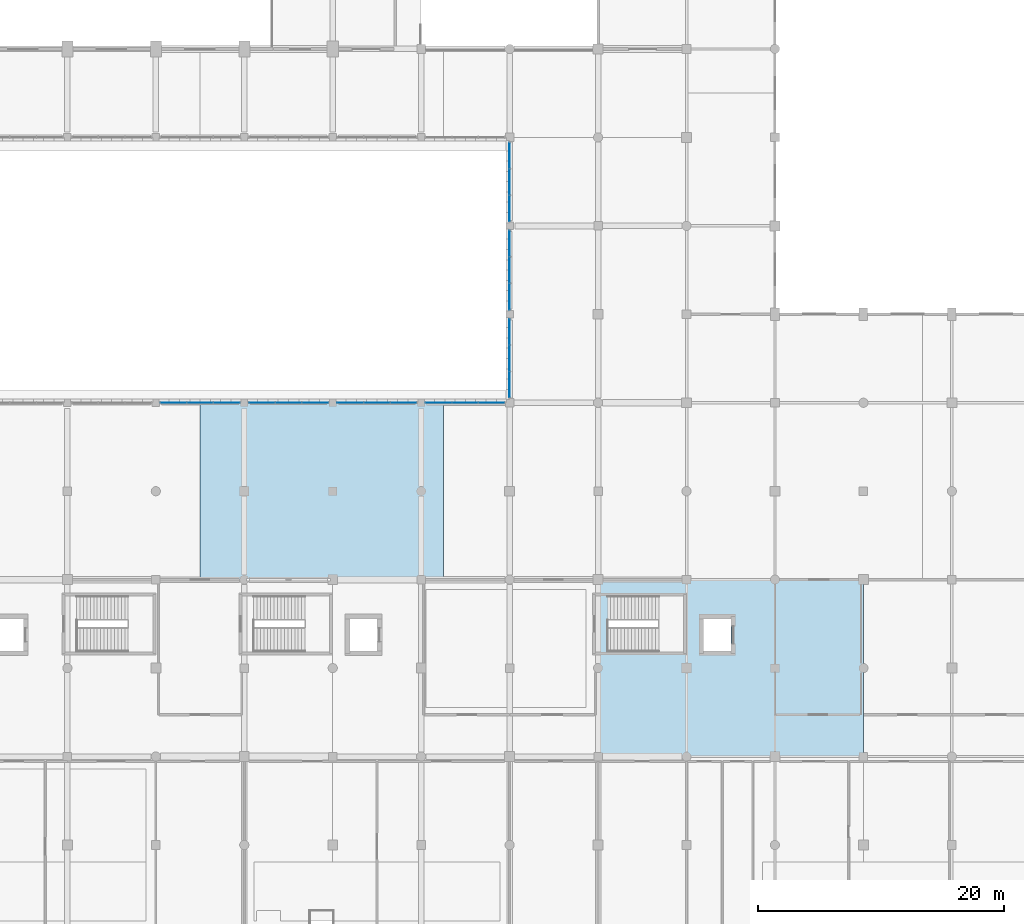
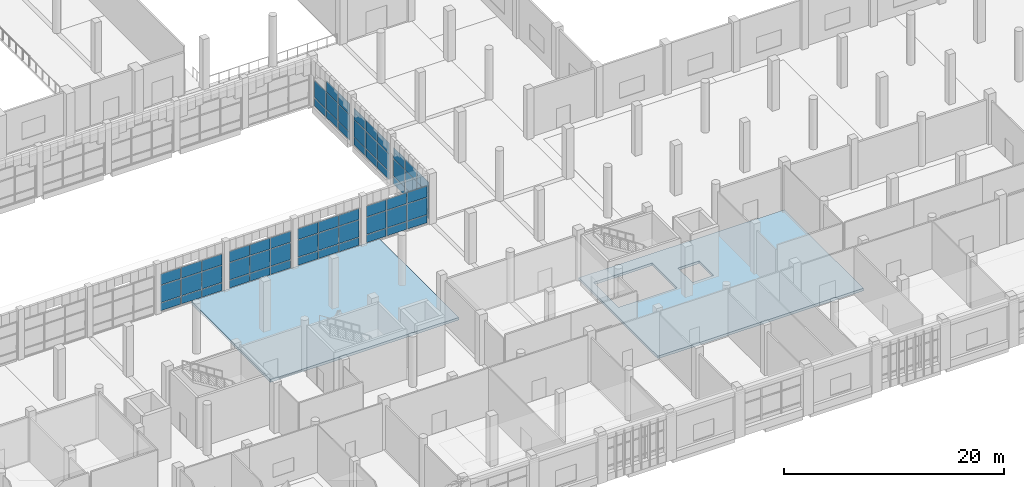
# One storey, part 38 of 80: 62 plates, 2 slabs, 7 elements without a shape of their own.
"""IFC4 building model written with IfcOpenShell, lengths in metres."""

from ifc_helpers import new_model, si_unit, direction, frame, origin, origin_2d, place, context, subcontext, project, spatial, polyline, rectangle, outline, extrude, material, layer, layer_set, type_object, element, aggregate, save


model = new_model("IFC4")

# Units and contexts
model_context = context("Model", 3, precision=1e-05, world=origin(), true_north=direction((0.0, 1.0)))
body_context = subcontext(model_context, "Body", "Model", "MODEL_VIEW")
ifc_project = project(units=[si_unit("LENGTHUNIT", "METRE"), si_unit("AREAUNIT", "SQUARE_METRE"), si_unit("VOLUMEUNIT", "CUBIC_METRE"), si_unit("PLANEANGLEUNIT", "RADIAN"), si_unit("MASSUNIT", "GRAM", prefix="KILO")], contexts=[model_context])

# Site, building, storey
site_placement = place(None, origin())
site = spatial("IfcSite", under=ifc_project, at=site_placement, CompositionType="ELEMENT")
building_placement = place(site_placement, origin())
building = spatial("IfcBuilding", under=site, at=building_placement, Name="Sardonyx Promenade Sports Hall", CompositionType="ELEMENT")
storey_placement = place(building_placement, frame((0.0, 0.0, 5.60009765625)))
storey = spatial("IfcBuildingStorey", under=building, at=storey_placement, Name="L01", CompositionType="ELEMENT", Elevation=5.60009765625)

# Curtain wall, plates
ifc_material_1 = material(Name="Aluminium 6063-T6", Category="aluminium")
curtain_wall_type = type_object("IfcCurtainWallType", Name="CW_Riwaq_L01_640", PredefinedType="USERDEFINED", material=ifc_material_1)
curtain_wall_1_placement = place(storey_placement, origin())
curtain_wall_1 = element("IfcCurtainWall", 1, at=curtain_wall_1_placement, inside=storey, type_object=curtain_wall_type, Name="Curtain wall CW18 cw:L01:132", ObjectType="CURTAIN WALL", PredefinedType="USERDEFINED")
ifc_material_2 = material(Name="Double-glazed acoustic IGU 32 mm", Category="glass")
ifc_layer_1 = layer(ifc_material_2, 0.031982421875)
ifc_layer_set_1 = layer_set([ifc_layer_1], Name="CW_Pan_Glz_32")
plate_type = type_object("IfcPlateType", Name="CW_Pan_Glz_32", PredefinedType="CURTAIN_PANEL", material=ifc_layer_set_1)
plate_1_placement = place(storey_placement, frame((66.235107421875, 43.199951171875, 0.06494140625), z_axis=(0.0, 0.0, 1.0), x_axis=(1.0, 0.0, 0.0)))
plate_1 = element("IfcPlate", 2, at=plate_1_placement, type_object=plate_type, Name="Curtain panel CP02 cw:L01:132 #1", PredefinedType="CURTAIN_PANEL", context=body_context, shape_type="SweptSolid", body=[
    extrude(rectangle(XDim=2.10009765625, YDim=0.031982421875, at=origin_2d()), origin(), (0.0, 0.0, 1.0), 0.8525390625),
])
plate_2_placement = place(storey_placement, frame((66.235107421875, 43.199951171875, 0.982421875), z_axis=(0.0, 0.0, 1.0), x_axis=(1.0, 0.0, 0.0)))
plate_2 = element("IfcPlate", 3, at=plate_2_placement, type_object=plate_type, Name="Curtain panel CP02 cw:L01:132 #2", PredefinedType="CURTAIN_PANEL", context=body_context, shape_type="SweptSolid", body=[
    extrude(rectangle(XDim=2.10009765625, YDim=0.031982421875, at=origin_2d()), origin(), (0.0, 0.0, 1.0), 1.885009765625),
])
plate_3_placement = place(storey_placement, frame((66.235107421875, 43.199951171875, 2.9326171875), z_axis=(0.0, 0.0, 1.0), x_axis=(1.0, 0.0, 0.0)))
plate_3 = element("IfcPlate", 4, at=plate_3_placement, type_object=plate_type, Name="Curtain panel CP02 cw:L01:132 #3", PredefinedType="CURTAIN_PANEL", context=body_context, shape_type="SweptSolid", body=[
    extrude(rectangle(XDim=2.10009765625, YDim=0.031982421875, at=origin_2d()), origin(), (0.0, 0.0, 1.0), 1.202392578125),
])
plate_4_placement = place(storey_placement, frame((68.39990234375, 43.199951171875, 0.06494140625), z_axis=(0.0, 0.0, 1.0), x_axis=(1.0, 0.0, 0.0)))
plate_4 = element("IfcPlate", 5, at=plate_4_placement, type_object=plate_type, Name="Curtain panel CP02 cw:L01:132 #4", PredefinedType="CURTAIN_PANEL", context=body_context, shape_type="SweptSolid", body=[
    extrude(rectangle(XDim=2.10009765625, YDim=0.031982421875, at=origin_2d()), origin(), (0.0, 0.0, 1.0), 0.8525390625),
])
plate_5_placement = place(storey_placement, frame((68.39990234375, 43.199951171875, 0.982421875), z_axis=(0.0, 0.0, 1.0), x_axis=(1.0, 0.0, 0.0)))
plate_5 = element("IfcPlate", 6, at=plate_5_placement, type_object=plate_type, Name="Curtain panel CP02 cw:L01:132 #5", PredefinedType="CURTAIN_PANEL", context=body_context, shape_type="SweptSolid", body=[
    extrude(rectangle(XDim=2.10009765625, YDim=0.031982421875, at=origin_2d()), origin(), (0.0, 0.0, 1.0), 1.885009765625),
])
plate_6_placement = place(storey_placement, frame((68.39990234375, 43.199951171875, 2.9326171875), z_axis=(0.0, 0.0, 1.0), x_axis=(1.0, 0.0, 0.0)))
plate_6 = element("IfcPlate", 7, at=plate_6_placement, type_object=plate_type, Name="Curtain panel CP02 cw:L01:132 #6", PredefinedType="CURTAIN_PANEL", context=body_context, shape_type="SweptSolid", body=[
    extrude(rectangle(XDim=2.10009765625, YDim=0.031982421875, at=origin_2d()), origin(), (0.0, 0.0, 1.0), 1.202392578125),
])
plate_7_placement = place(storey_placement, frame((70.56494140625, 43.199951171875, 0.06494140625), z_axis=(0.0, 0.0, 1.0), x_axis=(1.0, 0.0, 0.0)))
plate_7 = element("IfcPlate", 8, at=plate_7_placement, type_object=plate_type, Name="Curtain panel CP02 cw:L01:132 #7", PredefinedType="CURTAIN_PANEL", context=body_context, shape_type="SweptSolid", body=[
    extrude(rectangle(XDim=2.10009765625, YDim=0.031982421875, at=origin_2d()), origin(), (0.0, 0.0, 1.0), 0.8525390625),
])
plate_8_placement = place(storey_placement, frame((70.56494140625, 43.199951171875, 0.982421875), z_axis=(0.0, 0.0, 1.0), x_axis=(1.0, 0.0, 0.0)))
plate_8 = element("IfcPlate", 9, at=plate_8_placement, type_object=plate_type, Name="Curtain panel CP02 cw:L01:132 #8", PredefinedType="CURTAIN_PANEL", context=body_context, shape_type="SweptSolid", body=[
    extrude(rectangle(XDim=2.10009765625, YDim=0.031982421875, at=origin_2d()), origin(), (0.0, 0.0, 1.0), 1.885009765625),
])
plate_9_placement = place(storey_placement, frame((70.56494140625, 43.199951171875, 2.9326171875), z_axis=(0.0, 0.0, 1.0), x_axis=(1.0, 0.0, 0.0)))
plate_9 = element("IfcPlate", 10, at=plate_9_placement, type_object=plate_type, Name="Curtain panel CP02 cw:L01:132 #9", PredefinedType="CURTAIN_PANEL", context=body_context, shape_type="SweptSolid", body=[
    extrude(rectangle(XDim=2.10009765625, YDim=0.031982421875, at=origin_2d()), origin(), (0.0, 0.0, 1.0), 1.202392578125),
])
aggregate(curtain_wall_1, [plate_1, plate_2, plate_3, plate_4, plate_5, plate_6, plate_7, plate_8, plate_9])

curtain_wall_2_placement = place(storey_placement, origin())
curtain_wall_2 = element("IfcCurtainWall", 11, at=curtain_wall_2_placement, inside=storey, type_object=curtain_wall_type, Name="Curtain wall CW18 cw:L01:134", ObjectType="CURTAIN WALL", PredefinedType="USERDEFINED")
plate_10_placement = place(storey_placement, frame((73.43505859375, 43.199951171875, 0.06494140625), z_axis=(0.0, 0.0, 1.0), x_axis=(1.0, 0.0, 0.0)))
plate_10 = element("IfcPlate", 12, at=plate_10_placement, type_object=plate_type, Name="Curtain panel CP02 cw:L01:134 #1", PredefinedType="CURTAIN_PANEL", context=body_context, shape_type="SweptSolid", body=[
    extrude(rectangle(XDim=2.10009765625, YDim=0.031982421875, at=origin_2d()), origin(), (0.0, 0.0, 1.0), 0.8525390625),
])
plate_11_placement = place(storey_placement, frame((73.43505859375, 43.199951171875, 0.982421875), z_axis=(0.0, 0.0, 1.0), x_axis=(1.0, 0.0, 0.0)))
plate_11 = element("IfcPlate", 13, at=plate_11_placement, type_object=plate_type, Name="Curtain panel CP02 cw:L01:134 #2", PredefinedType="CURTAIN_PANEL", context=body_context, shape_type="SweptSolid", body=[
    extrude(rectangle(XDim=2.10009765625, YDim=0.031982421875, at=origin_2d()), origin(), (0.0, 0.0, 1.0), 1.885009765625),
])
plate_12_placement = place(storey_placement, frame((73.43505859375, 43.199951171875, 2.9326171875), z_axis=(0.0, 0.0, 1.0), x_axis=(1.0, 0.0, 0.0)))
plate_12 = element("IfcPlate", 14, at=plate_12_placement, type_object=plate_type, Name="Curtain panel CP02 cw:L01:134 #3", PredefinedType="CURTAIN_PANEL", context=body_context, shape_type="SweptSolid", body=[
    extrude(rectangle(XDim=2.10009765625, YDim=0.031982421875, at=origin_2d()), origin(), (0.0, 0.0, 1.0), 1.202392578125),
])
plate_13_placement = place(storey_placement, frame((75.60009765625, 43.199951171875, 0.06494140625), z_axis=(0.0, 0.0, 1.0), x_axis=(1.0, 0.0, 0.0)))
plate_13 = element("IfcPlate", 15, at=plate_13_placement, type_object=plate_type, Name="Curtain panel CP02 cw:L01:134 #4", PredefinedType="CURTAIN_PANEL", context=body_context, shape_type="SweptSolid", body=[
    extrude(rectangle(XDim=2.10009765625, YDim=0.031982421875, at=origin_2d()), origin(), (0.0, 0.0, 1.0), 0.8525390625),
])
plate_14_placement = place(storey_placement, frame((75.60009765625, 43.199951171875, 0.982421875), z_axis=(0.0, 0.0, 1.0), x_axis=(1.0, 0.0, 0.0)))
plate_14 = element("IfcPlate", 16, at=plate_14_placement, type_object=plate_type, Name="Curtain panel CP02 cw:L01:134 #5", PredefinedType="CURTAIN_PANEL", context=body_context, shape_type="SweptSolid", body=[
    extrude(rectangle(XDim=2.10009765625, YDim=0.031982421875, at=origin_2d()), origin(), (0.0, 0.0, 1.0), 1.885009765625),
])
plate_15_placement = place(storey_placement, frame((75.60009765625, 43.199951171875, 2.9326171875), z_axis=(0.0, 0.0, 1.0), x_axis=(1.0, 0.0, 0.0)))
plate_15 = element("IfcPlate", 17, at=plate_15_placement, type_object=plate_type, Name="Curtain panel CP02 cw:L01:134 #6", PredefinedType="CURTAIN_PANEL", context=body_context, shape_type="SweptSolid", body=[
    extrude(rectangle(XDim=2.10009765625, YDim=0.031982421875, at=origin_2d()), origin(), (0.0, 0.0, 1.0), 1.202392578125),
])
plate_16_placement = place(storey_placement, frame((77.764892578125, 43.199951171875, 0.06494140625), z_axis=(0.0, 0.0, 1.0), x_axis=(1.0, 0.0, 0.0)))
plate_16 = element("IfcPlate", 18, at=plate_16_placement, type_object=plate_type, Name="Curtain panel CP02 cw:L01:134 #7", PredefinedType="CURTAIN_PANEL", context=body_context, shape_type="SweptSolid", body=[
    extrude(rectangle(XDim=2.10009765625, YDim=0.031982421875, at=origin_2d()), origin(), (0.0, 0.0, 1.0), 0.8525390625),
])
plate_17_placement = place(storey_placement, frame((77.764892578125, 43.199951171875, 0.982421875), z_axis=(0.0, 0.0, 1.0), x_axis=(1.0, 0.0, 0.0)))
plate_17 = element("IfcPlate", 19, at=plate_17_placement, type_object=plate_type, Name="Curtain panel CP02 cw:L01:134 #8", PredefinedType="CURTAIN_PANEL", context=body_context, shape_type="SweptSolid", body=[
    extrude(rectangle(XDim=2.10009765625, YDim=0.031982421875, at=origin_2d()), origin(), (0.0, 0.0, 1.0), 1.885009765625),
])
plate_18_placement = place(storey_placement, frame((77.764892578125, 43.199951171875, 2.9326171875), z_axis=(0.0, 0.0, 1.0), x_axis=(1.0, 0.0, 0.0)))
plate_18 = element("IfcPlate", 20, at=plate_18_placement, type_object=plate_type, Name="Curtain panel CP02 cw:L01:134 #9", PredefinedType="CURTAIN_PANEL", context=body_context, shape_type="SweptSolid", body=[
    extrude(rectangle(XDim=2.10009765625, YDim=0.031982421875, at=origin_2d()), origin(), (0.0, 0.0, 1.0), 1.202392578125),
])
aggregate(curtain_wall_2, [plate_10, plate_11, plate_12, plate_13, plate_14, plate_15, plate_16, plate_17, plate_18])

curtain_wall_3_placement = place(storey_placement, origin())
curtain_wall_3 = element("IfcCurtainWall", 21, at=curtain_wall_3_placement, inside=storey, type_object=curtain_wall_type, Name="Curtain wall CW18 cw:L01:136", ObjectType="CURTAIN WALL", PredefinedType="USERDEFINED")
plate_19_placement = place(storey_placement, frame((80.635009765625, 43.199951171875, 0.06494140625), z_axis=(0.0, 0.0, 1.0), x_axis=(1.0, 0.0, 0.0)))
plate_19 = element("IfcPlate", 22, at=plate_19_placement, type_object=plate_type, Name="Curtain panel CP02 cw:L01:136 #1", PredefinedType="CURTAIN_PANEL", context=body_context, shape_type="SweptSolid", body=[
    extrude(rectangle(XDim=2.10009765625, YDim=0.031982421875, at=origin_2d()), origin(), (0.0, 0.0, 1.0), 0.8525390625),
])
plate_20_placement = place(storey_placement, frame((80.635009765625, 43.199951171875, 0.982421875), z_axis=(0.0, 0.0, 1.0), x_axis=(1.0, 0.0, 0.0)))
plate_20 = element("IfcPlate", 23, at=plate_20_placement, type_object=plate_type, Name="Curtain panel CP02 cw:L01:136 #2", PredefinedType="CURTAIN_PANEL", context=body_context, shape_type="SweptSolid", body=[
    extrude(rectangle(XDim=2.10009765625, YDim=0.031982421875, at=origin_2d()), origin(), (0.0, 0.0, 1.0), 1.885009765625),
])
plate_21_placement = place(storey_placement, frame((80.635009765625, 43.199951171875, 2.9326171875), z_axis=(0.0, 0.0, 1.0), x_axis=(1.0, 0.0, 0.0)))
plate_21 = element("IfcPlate", 24, at=plate_21_placement, type_object=plate_type, Name="Curtain panel CP02 cw:L01:136 #3", PredefinedType="CURTAIN_PANEL", context=body_context, shape_type="SweptSolid", body=[
    extrude(rectangle(XDim=2.10009765625, YDim=0.031982421875, at=origin_2d()), origin(), (0.0, 0.0, 1.0), 1.202392578125),
])
plate_22_placement = place(storey_placement, frame((82.800048828125, 43.199951171875, 0.06494140625), z_axis=(0.0, 0.0, 1.0), x_axis=(1.0, 0.0, 0.0)))
plate_22 = element("IfcPlate", 25, at=plate_22_placement, type_object=plate_type, Name="Curtain panel CP02 cw:L01:136 #4", PredefinedType="CURTAIN_PANEL", context=body_context, shape_type="SweptSolid", body=[
    extrude(rectangle(XDim=2.10009765625, YDim=0.031982421875, at=origin_2d()), origin(), (0.0, 0.0, 1.0), 0.8525390625),
])
plate_23_placement = place(storey_placement, frame((82.800048828125, 43.199951171875, 0.982421875), z_axis=(0.0, 0.0, 1.0), x_axis=(1.0, 0.0, 0.0)))
plate_23 = element("IfcPlate", 26, at=plate_23_placement, type_object=plate_type, Name="Curtain panel CP02 cw:L01:136 #5", PredefinedType="CURTAIN_PANEL", context=body_context, shape_type="SweptSolid", body=[
    extrude(rectangle(XDim=2.10009765625, YDim=0.031982421875, at=origin_2d()), origin(), (0.0, 0.0, 1.0), 1.885009765625),
])
plate_24_placement = place(storey_placement, frame((82.800048828125, 43.199951171875, 2.9326171875), z_axis=(0.0, 0.0, 1.0), x_axis=(1.0, 0.0, 0.0)))
plate_24 = element("IfcPlate", 27, at=plate_24_placement, type_object=plate_type, Name="Curtain panel CP02 cw:L01:136 #6", PredefinedType="CURTAIN_PANEL", context=body_context, shape_type="SweptSolid", body=[
    extrude(rectangle(XDim=2.10009765625, YDim=0.031982421875, at=origin_2d()), origin(), (0.0, 0.0, 1.0), 1.202392578125),
])
plate_25_placement = place(storey_placement, frame((84.965087890625, 43.199951171875, 0.06494140625), z_axis=(0.0, 0.0, 1.0), x_axis=(1.0, 0.0, 0.0)))
plate_25 = element("IfcPlate", 28, at=plate_25_placement, type_object=plate_type, Name="Curtain panel CP02 cw:L01:136 #7", PredefinedType="CURTAIN_PANEL", context=body_context, shape_type="SweptSolid", body=[
    extrude(rectangle(XDim=2.10009765625, YDim=0.031982421875, at=origin_2d()), origin(), (0.0, 0.0, 1.0), 0.8525390625),
])
plate_26_placement = place(storey_placement, frame((84.965087890625, 43.199951171875, 0.982421875), z_axis=(0.0, 0.0, 1.0), x_axis=(1.0, 0.0, 0.0)))
plate_26 = element("IfcPlate", 29, at=plate_26_placement, type_object=plate_type, Name="Curtain panel CP02 cw:L01:136 #8", PredefinedType="CURTAIN_PANEL", context=body_context, shape_type="SweptSolid", body=[
    extrude(rectangle(XDim=2.10009765625, YDim=0.031982421875, at=origin_2d()), origin(), (0.0, 0.0, 1.0), 1.885009765625),
])
plate_27_placement = place(storey_placement, frame((84.965087890625, 43.199951171875, 2.9326171875), z_axis=(0.0, 0.0, 1.0), x_axis=(1.0, 0.0, 0.0)))
plate_27 = element("IfcPlate", 30, at=plate_27_placement, type_object=plate_type, Name="Curtain panel CP02 cw:L01:136 #9", PredefinedType="CURTAIN_PANEL", context=body_context, shape_type="SweptSolid", body=[
    extrude(rectangle(XDim=2.10009765625, YDim=0.031982421875, at=origin_2d()), origin(), (0.0, 0.0, 1.0), 1.202392578125),
])
aggregate(curtain_wall_3, [plate_19, plate_20, plate_21, plate_22, plate_23, plate_24, plate_25, plate_26, plate_27])

curtain_wall_4_placement = place(storey_placement, origin())
curtain_wall_4 = element("IfcCurtainWall", 31, at=curtain_wall_4_placement, inside=storey, type_object=curtain_wall_type, Name="Curtain wall CW18 cw:L01:138", ObjectType="CURTAIN WALL", PredefinedType="USERDEFINED")
plate_28_placement = place(storey_placement, frame((87.82666015625, 43.199951171875, 0.06494140625), z_axis=(0.0, 0.0, 1.0), x_axis=(1.0, 0.0, 0.0)))
plate_28 = element("IfcPlate", 32, at=plate_28_placement, type_object=plate_type, Name="Curtain panel CP02 cw:L01:138 #1", PredefinedType="CURTAIN_PANEL", context=body_context, shape_type="SweptSolid", body=[
    extrude(rectangle(XDim=2.083251953125, YDim=0.031982421875, at=origin_2d()), origin(), (0.0, 0.0, 1.0), 0.8525390625),
])
plate_29_placement = place(storey_placement, frame((87.82666015625, 43.199951171875, 0.982421875), z_axis=(0.0, 0.0, 1.0), x_axis=(1.0, 0.0, 0.0)))
plate_29 = element("IfcPlate", 33, at=plate_29_placement, type_object=plate_type, Name="Curtain panel CP02 cw:L01:138 #2", PredefinedType="CURTAIN_PANEL", context=body_context, shape_type="SweptSolid", body=[
    extrude(rectangle(XDim=2.083251953125, YDim=0.031982421875, at=origin_2d()), origin(), (0.0, 0.0, 1.0), 1.885009765625),
])
plate_30_placement = place(storey_placement, frame((87.82666015625, 43.199951171875, 2.9326171875), z_axis=(0.0, 0.0, 1.0), x_axis=(1.0, 0.0, 0.0)))
plate_30 = element("IfcPlate", 34, at=plate_30_placement, type_object=plate_type, Name="Curtain panel CP02 cw:L01:138 #3", PredefinedType="CURTAIN_PANEL", context=body_context, shape_type="SweptSolid", body=[
    extrude(rectangle(XDim=2.083251953125, YDim=0.031982421875, at=origin_2d()), origin(), (0.0, 0.0, 1.0), 1.202392578125),
])
plate_31_placement = place(storey_placement, frame((89.97509765625, 43.199951171875, 0.06494140625), z_axis=(0.0, 0.0, 1.0), x_axis=(1.0, 0.0, 0.0)))
plate_31 = element("IfcPlate", 35, at=plate_31_placement, type_object=plate_type, Name="Curtain panel CP02 cw:L01:138 #4", PredefinedType="CURTAIN_PANEL", context=body_context, shape_type="SweptSolid", body=[
    extrude(rectangle(XDim=2.083251953125, YDim=0.031982421875, at=origin_2d()), origin(), (0.0, 0.0, 1.0), 0.8525390625),
])
plate_32_placement = place(storey_placement, frame((89.97509765625, 43.199951171875, 0.982421875), z_axis=(0.0, 0.0, 1.0), x_axis=(1.0, 0.0, 0.0)))
plate_32 = element("IfcPlate", 36, at=plate_32_placement, type_object=plate_type, Name="Curtain panel CP02 cw:L01:138 #5", PredefinedType="CURTAIN_PANEL", context=body_context, shape_type="SweptSolid", body=[
    extrude(rectangle(XDim=2.083251953125, YDim=0.031982421875, at=origin_2d()), origin(), (0.0, 0.0, 1.0), 1.885009765625),
])
plate_33_placement = place(storey_placement, frame((89.97509765625, 43.199951171875, 2.9326171875), z_axis=(0.0, 0.0, 1.0), x_axis=(1.0, 0.0, 0.0)))
plate_33 = element("IfcPlate", 37, at=plate_33_placement, type_object=plate_type, Name="Curtain panel CP02 cw:L01:138 #6", PredefinedType="CURTAIN_PANEL", context=body_context, shape_type="SweptSolid", body=[
    extrude(rectangle(XDim=2.083251953125, YDim=0.031982421875, at=origin_2d()), origin(), (0.0, 0.0, 1.0), 1.202392578125),
])
plate_34_placement = place(storey_placement, frame((92.123291015625, 43.199951171875, 0.06494140625), z_axis=(0.0, 0.0, 1.0), x_axis=(1.0, 0.0, 0.0)))
plate_34 = element("IfcPlate", 38, at=plate_34_placement, type_object=plate_type, Name="Curtain panel CP02 cw:L01:138 #7", PredefinedType="CURTAIN_PANEL", context=body_context, shape_type="SweptSolid", body=[
    extrude(rectangle(XDim=2.083251953125, YDim=0.031982421875, at=origin_2d()), origin(), (0.0, 0.0, 1.0), 0.8525390625),
])
plate_35_placement = place(storey_placement, frame((92.123291015625, 43.199951171875, 0.982421875), z_axis=(0.0, 0.0, 1.0), x_axis=(1.0, 0.0, 0.0)))
plate_35 = element("IfcPlate", 39, at=plate_35_placement, type_object=plate_type, Name="Curtain panel CP02 cw:L01:138 #8", PredefinedType="CURTAIN_PANEL", context=body_context, shape_type="SweptSolid", body=[
    extrude(rectangle(XDim=2.083251953125, YDim=0.031982421875, at=origin_2d()), origin(), (0.0, 0.0, 1.0), 1.885009765625),
])
plate_36_placement = place(storey_placement, frame((92.123291015625, 43.199951171875, 2.9326171875), z_axis=(0.0, 0.0, 1.0), x_axis=(1.0, 0.0, 0.0)))
plate_36 = element("IfcPlate", 40, at=plate_36_placement, type_object=plate_type, Name="Curtain panel CP02 cw:L01:138 #9", PredefinedType="CURTAIN_PANEL", context=body_context, shape_type="SweptSolid", body=[
    extrude(rectangle(XDim=2.083251953125, YDim=0.031982421875, at=origin_2d()), origin(), (0.0, 0.0, 1.0), 1.202392578125),
])
aggregate(curtain_wall_4, [plate_28, plate_29, plate_30, plate_31, plate_32, plate_33, plate_34, plate_35, plate_36])

curtain_wall_5_placement = place(storey_placement, origin())
curtain_wall_5 = element("IfcCurtainWall", 41, at=curtain_wall_5_placement, inside=storey, type_object=curtain_wall_type, Name="Curtain wall CW18 cw:L01:141", ObjectType="CURTAIN WALL", PredefinedType="USERDEFINED")
plate_37_placement = place(storey_placement, frame((93.60009765625, 44.6767578125, 0.06494140625), z_axis=(0.0, 0.0, 1.0), x_axis=(0.0, 1.0, 0.0)))
plate_37 = element("IfcPlate", 42, at=plate_37_placement, type_object=plate_type, Name="Curtain panel CP02 cw:L01:141 #1", PredefinedType="CURTAIN_PANEL", context=body_context, shape_type="SweptSolid", body=[
    extrude(rectangle(XDim=2.083251953125, YDim=0.031982421875, at=origin_2d()), origin(), (0.0, 0.0, 1.0), 0.8525390625),
])
plate_38_placement = place(storey_placement, frame((93.60009765625, 44.6767578125, 0.982421875), z_axis=(0.0, 0.0, 1.0), x_axis=(0.0, 1.0, 0.0)))
plate_38 = element("IfcPlate", 43, at=plate_38_placement, type_object=plate_type, Name="Curtain panel CP02 cw:L01:141 #2", PredefinedType="CURTAIN_PANEL", context=body_context, shape_type="SweptSolid", body=[
    extrude(rectangle(XDim=2.083251953125, YDim=0.031982421875, at=origin_2d()), origin(), (0.0, 0.0, 1.0), 1.885009765625),
])
plate_39_placement = place(storey_placement, frame((93.60009765625, 44.6767578125, 2.9326171875), z_axis=(0.0, 0.0, 1.0), x_axis=(0.0, 1.0, 0.0)))
plate_39 = element("IfcPlate", 44, at=plate_39_placement, type_object=plate_type, Name="Curtain panel CP02 cw:L01:141 #3", PredefinedType="CURTAIN_PANEL", context=body_context, shape_type="SweptSolid", body=[
    extrude(rectangle(XDim=2.083251953125, YDim=0.031982421875, at=origin_2d()), origin(), (0.0, 0.0, 1.0), 1.202392578125),
])
plate_40_placement = place(storey_placement, frame((93.60009765625, 46.824951171875, 0.06494140625), z_axis=(0.0, 0.0, 1.0), x_axis=(0.0, 1.0, 0.0)))
plate_40 = element("IfcPlate", 45, at=plate_40_placement, type_object=plate_type, Name="Curtain panel CP02 cw:L01:141 #4", PredefinedType="CURTAIN_PANEL", context=body_context, shape_type="SweptSolid", body=[
    extrude(rectangle(XDim=2.083251953125, YDim=0.031982421875, at=origin_2d()), origin(), (0.0, 0.0, 1.0), 0.8525390625),
])
plate_41_placement = place(storey_placement, frame((93.60009765625, 46.824951171875, 0.982421875), z_axis=(0.0, 0.0, 1.0), x_axis=(0.0, 1.0, 0.0)))
plate_41 = element("IfcPlate", 46, at=plate_41_placement, type_object=plate_type, Name="Curtain panel CP02 cw:L01:141 #5", PredefinedType="CURTAIN_PANEL", context=body_context, shape_type="SweptSolid", body=[
    extrude(rectangle(XDim=2.083251953125, YDim=0.031982421875, at=origin_2d()), origin(), (0.0, 0.0, 1.0), 1.885009765625),
])
plate_42_placement = place(storey_placement, frame((93.60009765625, 46.824951171875, 2.9326171875), z_axis=(0.0, 0.0, 1.0), x_axis=(0.0, 1.0, 0.0)))
plate_42 = element("IfcPlate", 47, at=plate_42_placement, type_object=plate_type, Name="Curtain panel CP02 cw:L01:141 #6", PredefinedType="CURTAIN_PANEL", context=body_context, shape_type="SweptSolid", body=[
    extrude(rectangle(XDim=2.083251953125, YDim=0.031982421875, at=origin_2d()), origin(), (0.0, 0.0, 1.0), 1.202392578125),
])
plate_43_placement = place(storey_placement, frame((93.60009765625, 48.973388671875, 0.06494140625), z_axis=(0.0, 0.0, 1.0), x_axis=(0.0, 1.0, 0.0)))
plate_43 = element("IfcPlate", 48, at=plate_43_placement, type_object=plate_type, Name="Curtain panel CP02 cw:L01:141 #7", PredefinedType="CURTAIN_PANEL", context=body_context, shape_type="SweptSolid", body=[
    extrude(rectangle(XDim=2.083251953125, YDim=0.031982421875, at=origin_2d()), origin(), (0.0, 0.0, 1.0), 0.8525390625),
])
plate_44_placement = place(storey_placement, frame((93.60009765625, 48.973388671875, 0.982421875), z_axis=(0.0, 0.0, 1.0), x_axis=(0.0, 1.0, 0.0)))
plate_44 = element("IfcPlate", 49, at=plate_44_placement, type_object=plate_type, Name="Curtain panel CP02 cw:L01:141 #8", PredefinedType="CURTAIN_PANEL", context=body_context, shape_type="SweptSolid", body=[
    extrude(rectangle(XDim=2.083251953125, YDim=0.031982421875, at=origin_2d()), origin(), (0.0, 0.0, 1.0), 1.885009765625),
])
plate_45_placement = place(storey_placement, frame((93.60009765625, 48.973388671875, 2.9326171875), z_axis=(0.0, 0.0, 1.0), x_axis=(0.0, 1.0, 0.0)))
plate_45 = element("IfcPlate", 50, at=plate_45_placement, type_object=plate_type, Name="Curtain panel CP02 cw:L01:141 #9", PredefinedType="CURTAIN_PANEL", context=body_context, shape_type="SweptSolid", body=[
    extrude(rectangle(XDim=2.083251953125, YDim=0.031982421875, at=origin_2d()), origin(), (0.0, 0.0, 1.0), 1.202392578125),
])
aggregate(curtain_wall_5, [plate_37, plate_38, plate_39, plate_40, plate_41, plate_42, plate_43, plate_44, plate_45])

curtain_wall_6_placement = place(storey_placement, origin())
curtain_wall_6 = element("IfcCurtainWall", 51, at=curtain_wall_6_placement, inside=storey, type_object=curtain_wall_type, Name="Curtain wall CW18 cw:L01:143", ObjectType="CURTAIN WALL", PredefinedType="USERDEFINED")
plate_46_placement = place(storey_placement, frame((93.60009765625, 51.8349609375, 0.06494140625), z_axis=(0.0, 0.0, 1.0), x_axis=(0.0, 1.0, 0.0)))
plate_46 = element("IfcPlate", 52, at=plate_46_placement, type_object=plate_type, Name="Curtain panel CP02 cw:L01:143 #1", PredefinedType="CURTAIN_PANEL", context=body_context, shape_type="SweptSolid", body=[
    extrude(rectangle(XDim=2.10009765625, YDim=0.031982421875, at=origin_2d()), origin(), (0.0, 0.0, 1.0), 0.8525390625),
])
plate_47_placement = place(storey_placement, frame((93.60009765625, 51.8349609375, 0.982421875), z_axis=(0.0, 0.0, 1.0), x_axis=(0.0, 1.0, 0.0)))
plate_47 = element("IfcPlate", 53, at=plate_47_placement, type_object=plate_type, Name="Curtain panel CP02 cw:L01:143 #2", PredefinedType="CURTAIN_PANEL", context=body_context, shape_type="SweptSolid", body=[
    extrude(rectangle(XDim=2.10009765625, YDim=0.031982421875, at=origin_2d()), origin(), (0.0, 0.0, 1.0), 1.885009765625),
])
plate_48_placement = place(storey_placement, frame((93.60009765625, 51.8349609375, 2.9326171875), z_axis=(0.0, 0.0, 1.0), x_axis=(0.0, 1.0, 0.0)))
plate_48 = element("IfcPlate", 54, at=plate_48_placement, type_object=plate_type, Name="Curtain panel CP02 cw:L01:143 #3", PredefinedType="CURTAIN_PANEL", context=body_context, shape_type="SweptSolid", body=[
    extrude(rectangle(XDim=2.10009765625, YDim=0.031982421875, at=origin_2d()), origin(), (0.0, 0.0, 1.0), 1.202392578125),
])
plate_49_placement = place(storey_placement, frame((93.60009765625, 54.0, 0.06494140625), z_axis=(0.0, 0.0, 1.0), x_axis=(0.0, 1.0, 0.0)))
plate_49 = element("IfcPlate", 55, at=plate_49_placement, type_object=plate_type, Name="Curtain panel CP02 cw:L01:143 #4", PredefinedType="CURTAIN_PANEL", context=body_context, shape_type="SweptSolid", body=[
    extrude(rectangle(XDim=2.10009765625, YDim=0.031982421875, at=origin_2d()), origin(), (0.0, 0.0, 1.0), 0.8525390625),
])
plate_50_placement = place(storey_placement, frame((93.60009765625, 54.0, 0.982421875), z_axis=(0.0, 0.0, 1.0), x_axis=(0.0, 1.0, 0.0)))
plate_50 = element("IfcPlate", 56, at=plate_50_placement, type_object=plate_type, Name="Curtain panel CP02 cw:L01:143 #5", PredefinedType="CURTAIN_PANEL", context=body_context, shape_type="SweptSolid", body=[
    extrude(rectangle(XDim=2.10009765625, YDim=0.031982421875, at=origin_2d()), origin(), (0.0, 0.0, 1.0), 1.885009765625),
])
plate_51_placement = place(storey_placement, frame((93.60009765625, 54.0, 2.9326171875), z_axis=(0.0, 0.0, 1.0), x_axis=(0.0, 1.0, 0.0)))
plate_51 = element("IfcPlate", 57, at=plate_51_placement, type_object=plate_type, Name="Curtain panel CP02 cw:L01:143 #6", PredefinedType="CURTAIN_PANEL", context=body_context, shape_type="SweptSolid", body=[
    extrude(rectangle(XDim=2.10009765625, YDim=0.031982421875, at=origin_2d()), origin(), (0.0, 0.0, 1.0), 1.202392578125),
])
plate_52_placement = place(storey_placement, frame((93.60009765625, 56.1650390625, 0.06494140625), z_axis=(0.0, 0.0, 1.0), x_axis=(0.0, 1.0, 0.0)))
plate_52 = element("IfcPlate", 58, at=plate_52_placement, type_object=plate_type, Name="Curtain panel CP02 cw:L01:143 #7", PredefinedType="CURTAIN_PANEL", context=body_context, shape_type="SweptSolid", body=[
    extrude(rectangle(XDim=2.10009765625, YDim=0.031982421875, at=origin_2d()), origin(), (0.0, 0.0, 1.0), 0.8525390625),
])
plate_53_placement = place(storey_placement, frame((93.60009765625, 56.1650390625, 0.982421875), z_axis=(0.0, 0.0, 1.0), x_axis=(0.0, 1.0, 0.0)))
plate_53 = element("IfcPlate", 59, at=plate_53_placement, type_object=plate_type, Name="Curtain panel CP02 cw:L01:143 #8", PredefinedType="CURTAIN_PANEL", context=body_context, shape_type="SweptSolid", body=[
    extrude(rectangle(XDim=2.10009765625, YDim=0.031982421875, at=origin_2d()), origin(), (0.0, 0.0, 1.0), 1.885009765625),
])
plate_54_placement = place(storey_placement, frame((93.60009765625, 56.1650390625, 2.9326171875), z_axis=(0.0, 0.0, 1.0), x_axis=(0.0, 1.0, 0.0)))
plate_54 = element("IfcPlate", 60, at=plate_54_placement, type_object=plate_type, Name="Curtain panel CP02 cw:L01:143 #9", PredefinedType="CURTAIN_PANEL", context=body_context, shape_type="SweptSolid", body=[
    extrude(rectangle(XDim=2.10009765625, YDim=0.031982421875, at=origin_2d()), origin(), (0.0, 0.0, 1.0), 1.202392578125),
])
aggregate(curtain_wall_6, [plate_46, plate_47, plate_48, plate_49, plate_50, plate_51, plate_52, plate_53, plate_54])

curtain_wall_7_placement = place(storey_placement, origin())
curtain_wall_7 = element("IfcCurtainWall", 61, at=curtain_wall_7_placement, inside=storey, type_object=curtain_wall_type, Name="Curtain wall CW18 cw:L01:145", ObjectType="CURTAIN WALL", PredefinedType="USERDEFINED")
plate_55_placement = place(storey_placement, frame((93.60009765625, 59.026611328125, 0.06494140625), z_axis=(0.0, 0.0, 1.0), x_axis=(0.0, 1.0, 0.0)))
plate_55 = element("IfcPlate", 62, at=plate_55_placement, type_object=plate_type, Name="Curtain panel CP02 cw:L01:145 #1", PredefinedType="CURTAIN_PANEL", context=body_context, shape_type="SweptSolid", body=[
    extrude(rectangle(XDim=2.083251953125, YDim=0.031982421875, at=origin_2d()), origin(), (0.0, 0.0, 1.0), 0.8525390625),
])
plate_56_placement = place(storey_placement, frame((93.60009765625, 59.026611328125, 0.982421875), z_axis=(0.0, 0.0, 1.0), x_axis=(0.0, 1.0, 0.0)))
plate_56 = element("IfcPlate", 63, at=plate_56_placement, type_object=plate_type, Name="Curtain panel CP02 cw:L01:145 #2", PredefinedType="CURTAIN_PANEL", context=body_context, shape_type="SweptSolid", body=[
    extrude(rectangle(XDim=2.083251953125, YDim=0.031982421875, at=origin_2d()), origin(), (0.0, 0.0, 1.0), 1.885009765625),
])
plate_57_placement = place(storey_placement, frame((93.60009765625, 59.026611328125, 2.9326171875), z_axis=(0.0, 0.0, 1.0), x_axis=(0.0, 1.0, 0.0)))
plate_57 = element("IfcPlate", 64, at=plate_57_placement, type_object=plate_type, Name="Curtain panel CP02 cw:L01:145 #3", PredefinedType="CURTAIN_PANEL", context=body_context, shape_type="SweptSolid", body=[
    extrude(rectangle(XDim=2.083251953125, YDim=0.031982421875, at=origin_2d()), origin(), (0.0, 0.0, 1.0), 1.202392578125),
])
plate_58_placement = place(storey_placement, frame((93.60009765625, 61.175048828125, 0.06494140625), z_axis=(0.0, 0.0, 1.0), x_axis=(0.0, 1.0, 0.0)))
plate_58 = element("IfcPlate", 65, at=plate_58_placement, type_object=plate_type, Name="Curtain panel CP02 cw:L01:145 #4", PredefinedType="CURTAIN_PANEL", context=body_context, shape_type="SweptSolid", body=[
    extrude(rectangle(XDim=2.083251953125, YDim=0.031982421875, at=origin_2d()), origin(), (0.0, 0.0, 1.0), 0.8525390625),
])
plate_59_placement = place(storey_placement, frame((93.60009765625, 61.175048828125, 0.982421875), z_axis=(0.0, 0.0, 1.0), x_axis=(0.0, 1.0, 0.0)))
plate_59 = element("IfcPlate", 66, at=plate_59_placement, type_object=plate_type, Name="Curtain panel CP02 cw:L01:145 #5", PredefinedType="CURTAIN_PANEL", context=body_context, shape_type="SweptSolid", body=[
    extrude(rectangle(XDim=2.083251953125, YDim=0.031982421875, at=origin_2d()), origin(), (0.0, 0.0, 1.0), 1.885009765625),
])
plate_60_placement = place(storey_placement, frame((93.60009765625, 61.175048828125, 2.9326171875), z_axis=(0.0, 0.0, 1.0), x_axis=(0.0, 1.0, 0.0)))
plate_60 = element("IfcPlate", 67, at=plate_60_placement, type_object=plate_type, Name="Curtain panel CP02 cw:L01:145 #6", PredefinedType="CURTAIN_PANEL", context=body_context, shape_type="SweptSolid", body=[
    extrude(rectangle(XDim=2.083251953125, YDim=0.031982421875, at=origin_2d()), origin(), (0.0, 0.0, 1.0), 1.202392578125),
])
plate_61_placement = place(storey_placement, frame((93.60009765625, 63.3232421875, 0.06494140625), z_axis=(0.0, 0.0, 1.0), x_axis=(0.0, 1.0, 0.0)))
plate_61 = element("IfcPlate", 68, at=plate_61_placement, type_object=plate_type, Name="Curtain panel CP02 cw:L01:145 #7", PredefinedType="CURTAIN_PANEL", context=body_context, shape_type="SweptSolid", body=[
    extrude(rectangle(XDim=2.083251953125, YDim=0.031982421875, at=origin_2d()), origin(), (0.0, 0.0, 1.0), 0.8525390625),
])
plate_62_placement = place(storey_placement, frame((93.60009765625, 63.3232421875, 0.982421875), z_axis=(0.0, 0.0, 1.0), x_axis=(0.0, 1.0, 0.0)))
plate_62 = element("IfcPlate", 69, at=plate_62_placement, type_object=plate_type, Name="Curtain panel CP02 cw:L01:145 #8", PredefinedType="CURTAIN_PANEL", context=body_context, shape_type="SweptSolid", body=[
    extrude(rectangle(XDim=2.083251953125, YDim=0.031982421875, at=origin_2d()), origin(), (0.0, 0.0, 1.0), 1.885009765625),
])
aggregate(curtain_wall_7, [plate_55, plate_56, plate_57, plate_58, plate_59, plate_60, plate_61, plate_62])

# Slabs
ifc_material_3 = material(Name="Concrete C40/50", Category="concrete")
ifc_layer_2 = layer(ifc_material_3, 0.2900390625)
ifc_layer_set_2 = layer_set([ifc_layer_2], Name="Slab_Ext_Loggia_220")
slab_type_1 = type_object("IfcSlabType", Name="Slab_Ext_Loggia_220", PredefinedType="FLOOR", material=ifc_layer_set_2)
slab_1_placement = place(storey_placement, frame((0.0, 0.0, -0.2900390625)))
element("IfcSlab", 70, at=slab_1_placement, inside=storey, type_object=slab_type_1, Name="Slab TS03 L01 #139", PredefinedType="FLOOR", context=body_context, shape_type="SweptSolid", body=[
    extrude(outline(polyline([(68.39990234375, 28.800048828125), (88.199951171875, 28.800048828125), (88.199951171875, 43.199951171875), (68.39990234375, 43.199951171875), (68.39990234375, 28.800048828125)])), origin(), (0.0, 0.0, 1.0), 0.2900390625),
])
ifc_material_4 = material(Name="Concrete C40/50", Category="concrete")
ifc_layer_3 = layer(ifc_material_4, 0.280029296875)
ifc_layer_set_3 = layer_set([ifc_layer_3], Name="Slab_Floor_Clinic_280")
slab_type_2 = type_object("IfcSlabType", Name="Slab_Floor_Clinic_280", PredefinedType="FLOOR", material=ifc_layer_set_3)
slab_2_placement = place(storey_placement, frame((0.0, 0.0, -0.280029296875)))
element("IfcSlab", 71, at=slab_2_placement, inside=storey, type_object=slab_type_2, Name="Slab FS02 L01 #134", PredefinedType="FLOOR", context=body_context, shape_type="SweptSolid", body=[
    extrude(outline(polyline([(100.800048828125, 28.800048828125), (100.800048828125, 14.39990234375), (122.39990234375, 14.39990234375), (122.39990234375, 28.800048828125), (100.800048828125, 28.800048828125)]), holes=[polyline([(111.610107421875, 25.610107421875), (111.610107421875, 22.989990234375), (109.389892578125, 22.989990234375), (109.389892578125, 25.610107421875), (111.610107421875, 25.610107421875)]), polyline([(107.75, 27.47509765625), (107.75, 22.925048828125), (101.610107421875, 22.925048828125), (101.610107421875, 27.47509765625), (107.75, 27.47509765625)])]), origin(), (0.0, 0.0, 1.0), 0.280029296875),
])

save(model, "model.ifc")
